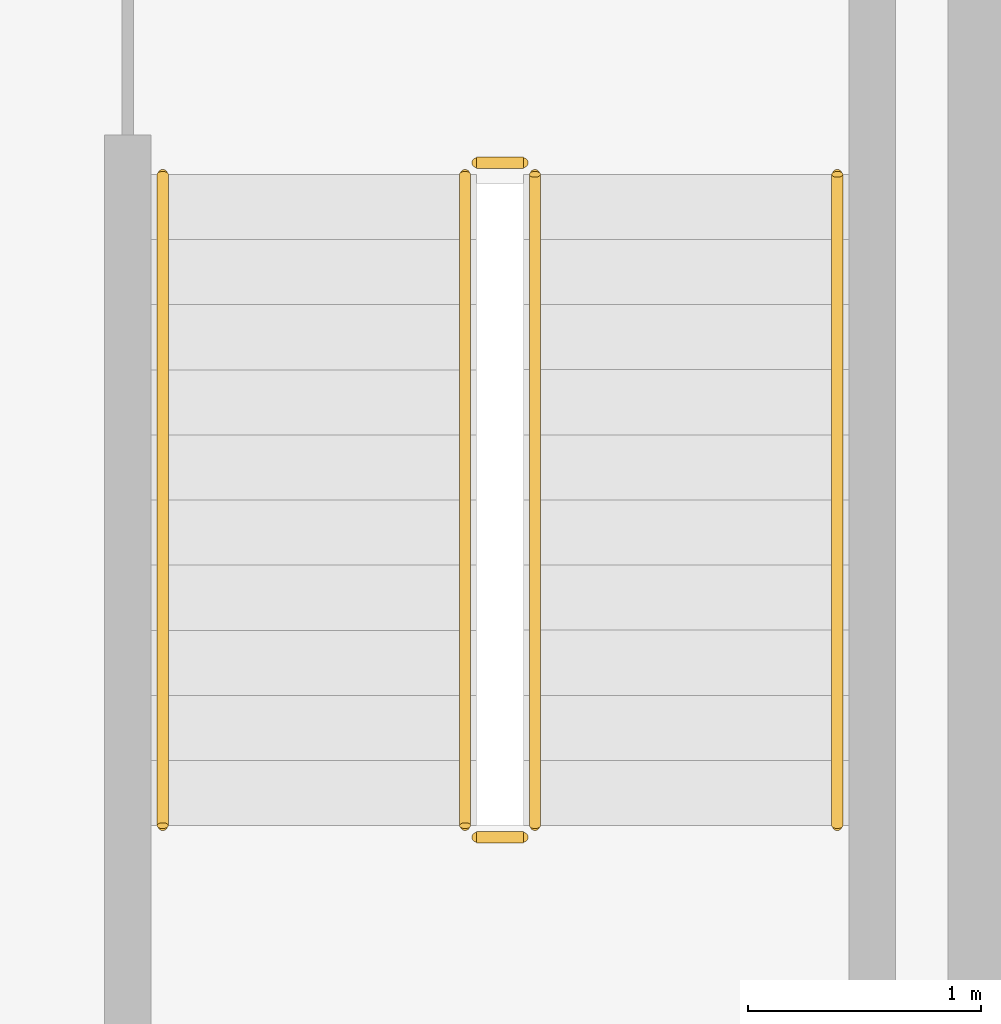
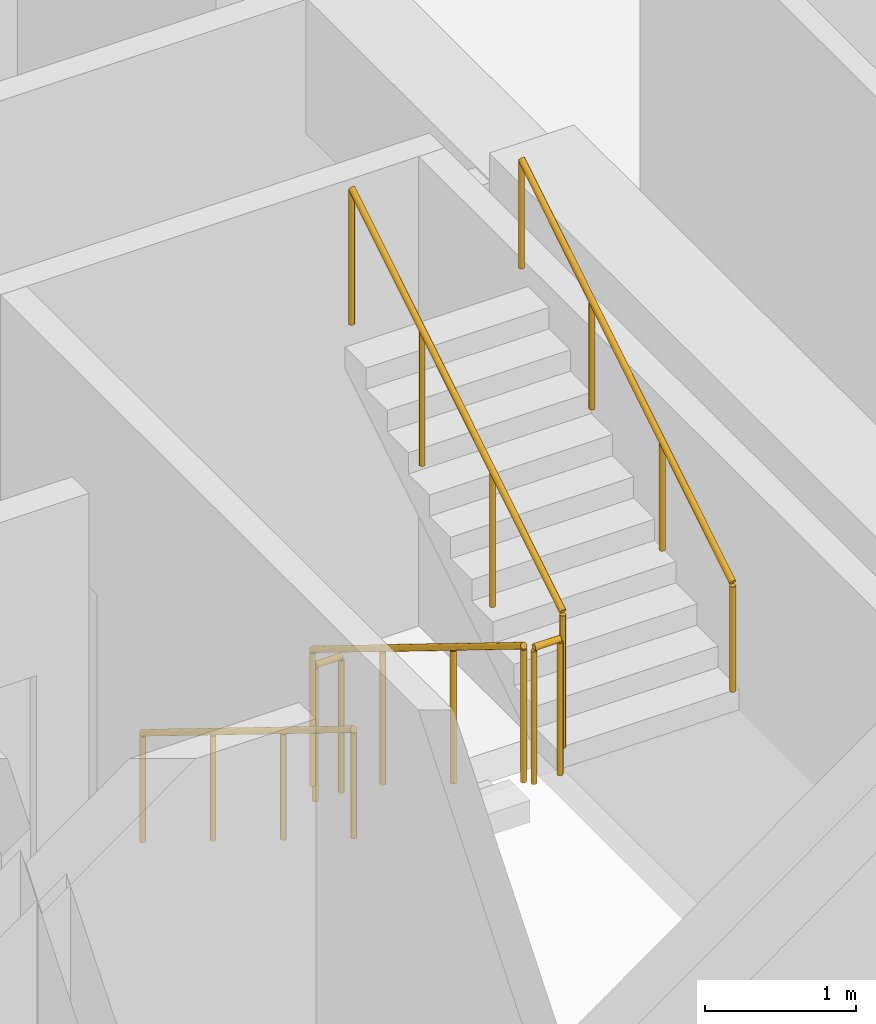
# One storey, part 27 of 27: 6 railings.
"""IFC4 building model written with IfcOpenShell, lengths in metres."""

from ifc_helpers import new_model, si_unit, direction, frame, origin, origin_2d, place, context, subcontext, project, spatial, circle, extrude, material, type_object, element, save


model = new_model("IFC4")

# Units and contexts
model_context = context("Model", 3, precision=1e-05, world=origin(), true_north=direction((0.0, 1.0)))
body_context = subcontext(model_context, "Body", "Model", "MODEL_VIEW")
ifc_project = project(units=[si_unit("LENGTHUNIT", "METRE"), si_unit("AREAUNIT", "SQUARE_METRE"), si_unit("VOLUMEUNIT", "CUBIC_METRE"), si_unit("PLANEANGLEUNIT", "RADIAN"), si_unit("MASSUNIT", "GRAM", prefix="KILO")], contexts=[model_context])

# Site, building, storey
site_placement = place(None, origin())
site = spatial("IfcSite", under=ifc_project, at=site_placement, CompositionType="ELEMENT")
building_placement = place(site_placement, origin())
building = spatial("IfcBuilding", under=site, at=building_placement, Name="Nefas-Gora Pilgrimage Tower", CompositionType="ELEMENT")
storey_placement = place(building_placement, frame((0.0, 0.0, 48.199951171875)))
storey = spatial("IfcBuildingStorey", under=building, at=storey_placement, Name="L10", CompositionType="ELEMENT", Elevation=48.199951171875)

# Railings
ifc_material_1 = material(Name="Painted galvanised steel", Category="steel")
railing_type_1 = type_object("IfcRailingType", Name="RLG-STR-GUARD-1100", PredefinedType="GUARDRAIL", material=ifc_material_1)
railing_1_placement = place(storey_placement, frame((8.85009765625, -2.60009765625, 0.1728515625)))
element("IfcRailing", 1, at=railing_1_placement, inside=storey, type_object=railing_type_1, Name="L10 ST-02 stair guard 1", PredefinedType="GUARDRAIL", context=body_context, shape_type="SweptSolid", body=[
    extrude(circle(Radius=0.02392578125, at=origin_2d()), frame((0.0, 0.0, 1.09619140625), z_axis=(0.0, -0.851069175582, 0.525053576669), x_axis=(1.0, 0.0, 0.0)), (0.0, 0.0, 1.0), 3.289794921875),
    extrude(circle(Radius=0.02099609375, at=origin_2d()), origin(), (0.0, 0.0, 1.0), 1.072021484375),
    extrude(circle(Radius=0.02099609375, at=origin_2d()), frame((0.0, -0.933349609375, 0.57568359375)), (0.0, 0.0, 1.0), 1.072021484375),
    extrude(circle(Radius=0.02099609375, at=origin_2d()), frame((0.0, -1.866455078125, 1.151611328125)), (0.0, 0.0, 1.0), 1.072021484375),
    extrude(circle(Radius=0.02099609375, at=origin_2d()), frame((0.0, -2.7998046875, 1.727294921875)), (0.0, 0.0, 1.0), 1.072021484375),
])
railing_2_placement = place(storey_placement, frame((8.89990234375, -5.449951171875, 1.900146484375)))
element("IfcRailing", 2, at=railing_2_placement, inside=storey, type_object=railing_type_1, Name="L10 ST-02 stair guard 2", PredefinedType="GUARDRAIL", context=body_context, shape_type="SweptSolid", body=[
    extrude(circle(Radius=0.02392578125, at=origin_2d()), frame((0.0, 0.0, 1.09619140625), z_axis=(1.0, 0.0, 0.0), x_axis=(0.0, 1.0, 0.0)), (0.0, 0.0, 1.0), 0.2001953125),
    extrude(circle(Radius=0.02099609375, at=origin_2d()), origin(), (0.0, 0.0, 1.0), 1.072021484375),
    extrude(circle(Radius=0.02099609375, at=origin_2d()), frame((0.2001953125, 0.0, 0.0)), (0.0, 0.0, 1.0), 1.072021484375),
])
railing_3_placement = place(storey_placement, frame((9.14990234375, -5.39990234375, 2.07275390625)))
element("IfcRailing", 3, at=railing_3_placement, inside=storey, type_object=railing_type_1, Name="L10 ST-02 stair guard 3", PredefinedType="GUARDRAIL", context=body_context, shape_type="SweptSolid", body=[
    extrude(circle(Radius=0.02392578125, at=origin_2d()), frame((0.0, 0.0, 1.09619140625), z_axis=(0.0, 0.851069175582, 0.525053576669), x_axis=(-1.0, 0.0, 0.0)), (0.0, 0.0, 1.0), 3.289794921875),
    extrude(circle(Radius=0.02099609375, at=origin_2d()), origin(), (0.0, 0.0, 1.0), 1.072021484375),
    extrude(circle(Radius=0.02099609375, at=origin_2d()), frame((0.0, 0.933349609375, 0.57568359375)), (0.0, 0.0, 1.0), 1.072021484375),
    extrude(circle(Radius=0.02099609375, at=origin_2d()), frame((0.0, 1.866455078125, 1.151611328125)), (0.0, 0.0, 1.0), 1.072021484375),
    extrude(circle(Radius=0.02099609375, at=origin_2d()), frame((0.0, 2.7998046875, 1.727294921875)), (0.0, 0.0, 1.0), 1.072021484375),
])
railing_4_placement = place(storey_placement, frame((8.89990234375, -2.550048828125, 0.0)))
element("IfcRailing", 4, at=railing_4_placement, inside=storey, type_object=railing_type_1, Name="L10 ST-02 stair guard 4", PredefinedType="GUARDRAIL", context=body_context, shape_type="SweptSolid", body=[
    extrude(circle(Radius=0.02392578125, at=origin_2d()), frame((0.0, 0.0, 1.09619140625), z_axis=(1.0, 0.0, 0.0), x_axis=(0.0, 1.0, 0.0)), (0.0, 0.0, 1.0), 0.2001953125),
    extrude(circle(Radius=0.02099609375, at=origin_2d()), origin(), (0.0, 0.0, 1.0), 1.072021484375),
    extrude(circle(Radius=0.02099609375, at=origin_2d()), frame((0.2001953125, 0.0, 0.0)), (0.0, 0.0, 1.0), 1.072021484375),
])
ifc_material_2 = material(Name="Brushed stainless steel", Category="steel")
railing_type_2 = type_object("IfcRailingType", Name="RLG-STR-HAND-900", PredefinedType="HANDRAIL", material=ifc_material_2)
railing_5_placement = place(storey_placement, frame((7.550048828125, -2.60009765625, 0.1728515625)))
element("IfcRailing", 5, at=railing_5_placement, inside=storey, type_object=railing_type_2, Name="L10 ST-02 stair handrail 1", PredefinedType="HANDRAIL", context=body_context, shape_type="SweptSolid", body=[
    extrude(circle(Radius=0.02392578125, at=origin_2d()), frame((0.0, 0.0, 0.8759765625), z_axis=(0.0, -0.851069175582, 0.525053576669), x_axis=(1.0, 0.0, 0.0)), (0.0, 0.0, 1.0), 3.289794921875),
    extrude(circle(Radius=0.02099609375, at=origin_2d()), origin(), (0.0, 0.0, 1.0), 0.851806640625),
    extrude(circle(Radius=0.02099609375, at=origin_2d()), frame((0.0, -0.933349609375, 0.57568359375)), (0.0, 0.0, 1.0), 0.851806640625),
    extrude(circle(Radius=0.02099609375, at=origin_2d()), frame((0.0, -1.866455078125, 1.151611328125)), (0.0, 0.0, 1.0), 0.851806640625),
    extrude(circle(Radius=0.02099609375, at=origin_2d()), frame((0.0, -2.7998046875, 1.727294921875)), (0.0, 0.0, 1.0), 0.851806640625),
])
railing_6_placement = place(storey_placement, frame((10.449951171875, -5.39990234375, 2.07275390625)))
element("IfcRailing", 6, at=railing_6_placement, inside=storey, type_object=railing_type_2, Name="L10 ST-02 stair handrail 2", PredefinedType="HANDRAIL", context=body_context, shape_type="SweptSolid", body=[
    extrude(circle(Radius=0.02392578125, at=origin_2d()), frame((0.0, 0.0, 0.8759765625), z_axis=(0.0, 0.851069175582, 0.525053576669), x_axis=(-1.0, 0.0, 0.0)), (0.0, 0.0, 1.0), 3.289794921875),
    extrude(circle(Radius=0.02099609375, at=origin_2d()), origin(), (0.0, 0.0, 1.0), 0.851806640625),
    extrude(circle(Radius=0.02099609375, at=origin_2d()), frame((0.0, 0.933349609375, 0.57568359375)), (0.0, 0.0, 1.0), 0.851806640625),
    extrude(circle(Radius=0.02099609375, at=origin_2d()), frame((0.0, 1.866455078125, 1.151611328125)), (0.0, 0.0, 1.0), 0.851806640625),
    extrude(circle(Radius=0.02099609375, at=origin_2d()), frame((0.0, 2.7998046875, 1.727294921875)), (0.0, 0.0, 1.0), 0.851806640625),
])

save(model, "model.ifc")
